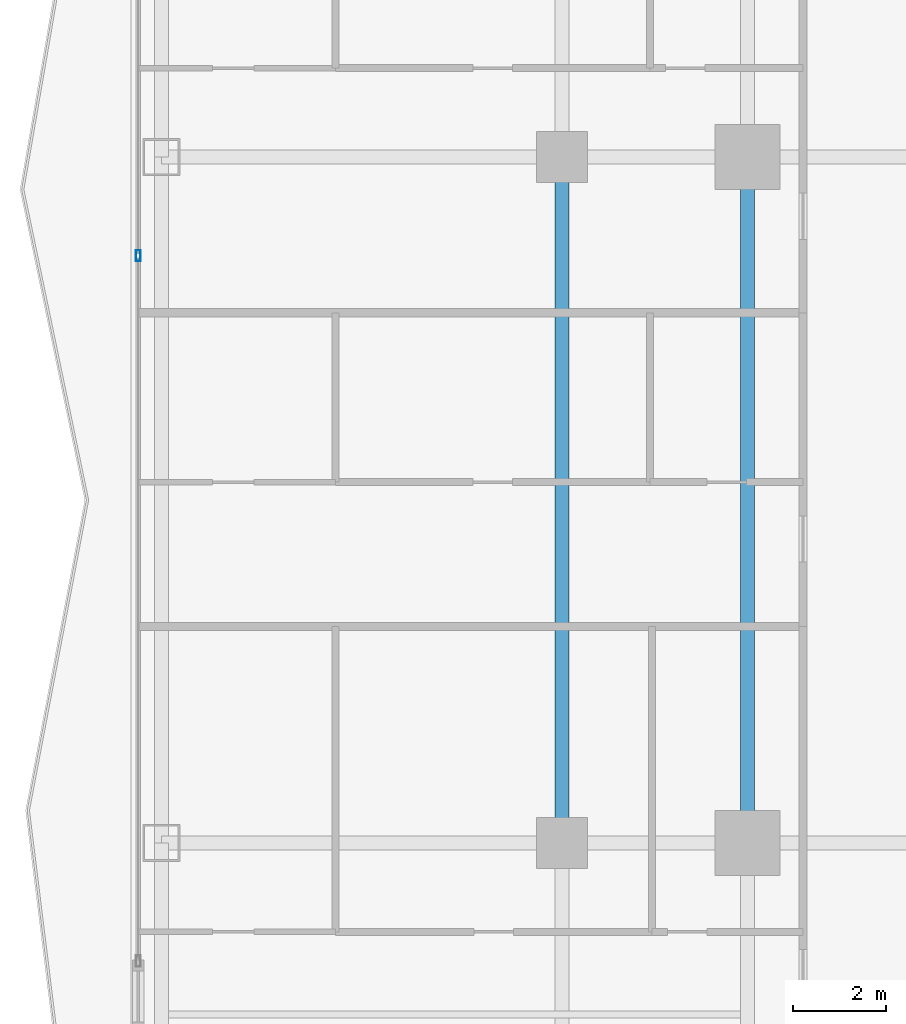
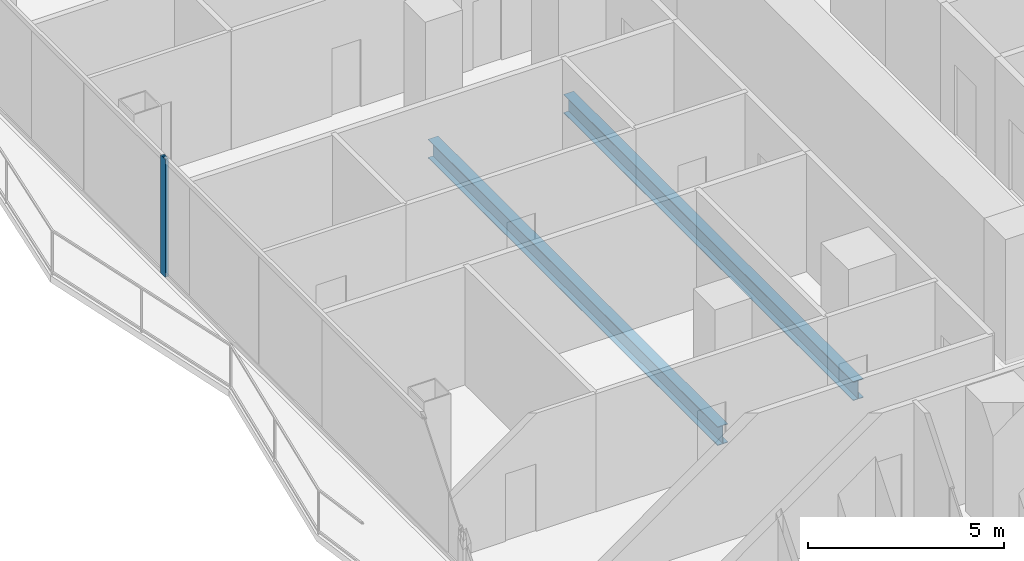
# One storey, part 6 of 29: 2 beams, 1 member, 1 element without a shape of its own.
"""IFC4 building model written with IfcOpenShell, lengths in metres."""

from ifc_helpers import new_model, si_unit, direction, frame, origin, origin_2d, place, context, subcontext, project, spatial, hollow_rectangle, i_section, extrude, material, layer, layer_set, material_profile, profile_set, type_object, element, aggregate, save


model = new_model("IFC4")

# Units and contexts
model_context = context("Model", 3, precision=1e-05, world=origin(), true_north=direction((0.0, 1.0)))
body_context = subcontext(model_context, "Body", "Model", "MODEL_VIEW")
ifc_project = project(units=[si_unit("LENGTHUNIT", "METRE"), si_unit("AREAUNIT", "SQUARE_METRE"), si_unit("VOLUMEUNIT", "CUBIC_METRE"), si_unit("PLANEANGLEUNIT", "RADIAN"), si_unit("MASSUNIT", "GRAM", prefix="KILO")], contexts=[model_context])

# Site, building, storey
site_placement = place(None, origin())
site = spatial("IfcSite", under=ifc_project, at=site_placement, CompositionType="ELEMENT")
building_placement = place(site_placement, origin())
building = spatial("IfcBuilding", under=site, at=building_placement, Name="Khorvyn Point Tower", CompositionType="ELEMENT")
storey_placement = place(building_placement, frame((0.0, 0.0, 61.800048828125)))
storey = spatial("IfcBuildingStorey", under=building, at=storey_placement, Name="L16", CompositionType="ELEMENT", Elevation=61.800048828125)

# Curtain wall, member
ifc_material_1 = material(Name="Anodised aluminium 6063-T6 and laminated Low-E glass", Category="aluminium")
ifc_layer = layer(ifc_material_1, 0.18994140625)
ifc_layer_set = layer_set([ifc_layer], Name="Stick-Built Finned Residential Curtain Wall CW-SYS-02")
curtain_wall_type = type_object("IfcCurtainWallType", Name="Stick-Built Finned Residential Curtain Wall CW-SYS-02", PredefinedType="NOTDEFINED", material=ifc_layer_set)
curtain_wall_placement = place(storey_placement, origin())
curtain_wall = element("IfcCurtainWall", 1, at=curtain_wall_placement, inside=storey, type_object=curtain_wall_type, Name="Curtain Wall", PredefinedType="NOTDEFINED")
ifc_material_2 = material(Name="Anodised aluminium 6063-T6", Category="aluminium")
ifc_material_profile_1 = material_profile(ifc_material_2, hollow_rectangle(XDim=0.10009765625, YDim=0.239990234375, WallThickness=0.0048828125, at=origin_2d()))
ifc_profile_set_1 = profile_set([ifc_material_profile_1], Name="Anodised aluminium 6063-T6 ALU-MUL-100x240")
member_type = type_object("IfcMemberType", Name="Anodised Aluminium 6063-T6 Mullion ALU-MUL-100x240", PredefinedType="MULLION", material=ifc_profile_set_1)
member_placement = place(storey_placement, frame((-27.949951171875, 5.27490234375, 0.0), z_axis=(0.0, 0.0, 1.0), x_axis=(-1.0, 0.0, 0.0)))
member = element("IfcMember", 2, at=member_placement, type_object=member_type, Name="Transom", PredefinedType="MULLION", context=body_context, shape_type="SweptSolid", body=[
    extrude(hollow_rectangle(XDim=0.10009765625, YDim=0.239990234375, WallThickness=0.0048828125, at=origin_2d()), origin(), (0.0, 0.0, 1.0), 3.679931640625),
])
aggregate(curtain_wall, [member])

# Beams
ifc_material_3 = material(Name="Steel S355", Category="steel")
ifc_material_profile_2 = material_profile(ifc_material_3, i_section(OverallWidth=0.300048828125, OverallDepth=0.587890625, WebThickness=0.011962890625, FlangeThickness=0.02001953125, at=origin_2d()))
ifc_profile_set_2 = profile_set([ifc_material_profile_2], Name="Steel S355 H588x300x12x20")
beam_type = type_object("IfcBeamType", Name="Steel S355 Beam H588x300x12x20", PredefinedType="BEAM", material=ifc_profile_set_2)
for number, where, z_axis, x_axis, name in (
    (3, (-14.800048828125, -7.39990234375, -0.51416015625), (0.0, 1.0, 0.0), (-1.0, 0.0, 0.0), "Beam"),
    (4, (-18.800048828125, -7.39990234375, -0.51416015625), (0.0, 1.0, 0.0), (-1.0, 0.0, 0.0), "Beam"),
):
    element("IfcBeam", number, at=place(storey_placement, frame(where, z_axis=z_axis, x_axis=x_axis)), inside=storey, type_object=beam_type, Name=name, PredefinedType="BEAM", context=body_context, shape_type="SweptSolid", body=[
        extrude(i_section(OverallWidth=0.300048828125, OverallDepth=0.587890625, WebThickness=0.011962890625, FlangeThickness=0.02001953125, at=origin_2d()), origin(), (0.0, 0.0, 1.0), 14.7998046875),
    ])

save(model, "model.ifc")
